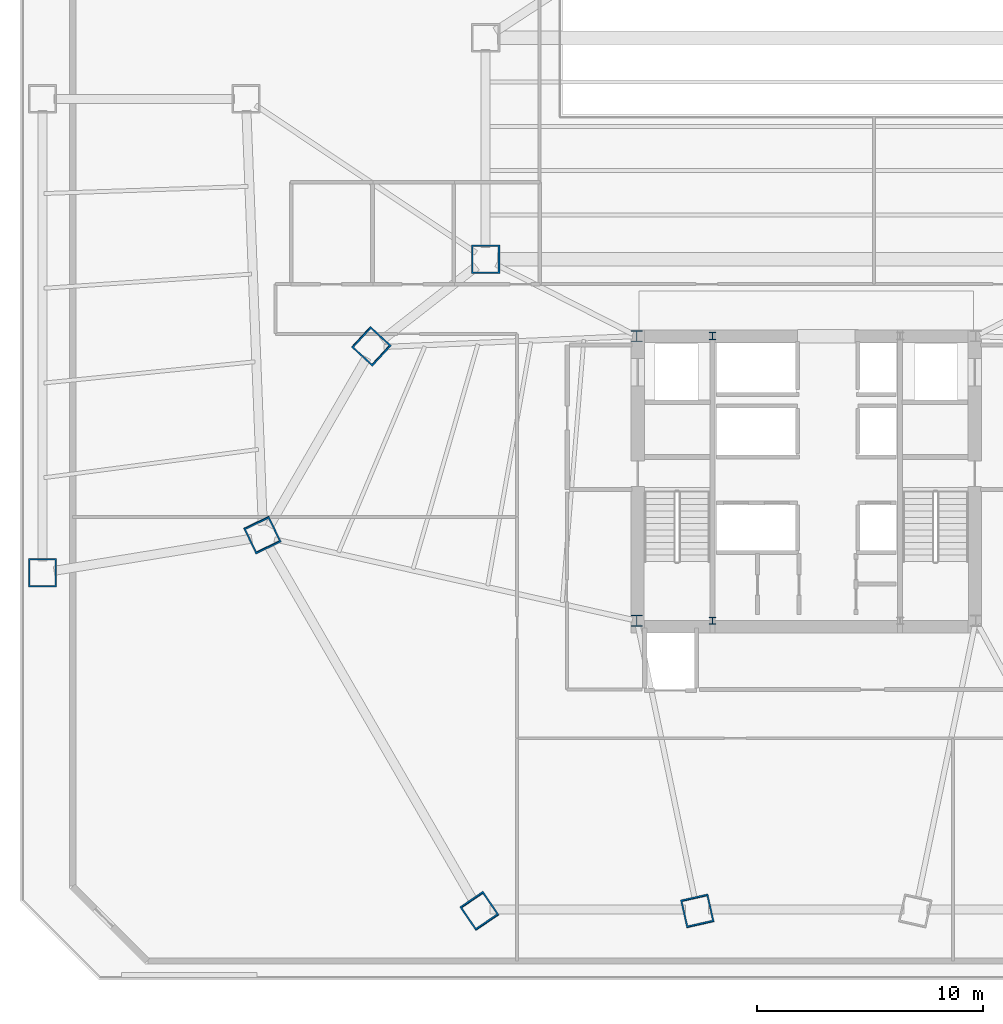
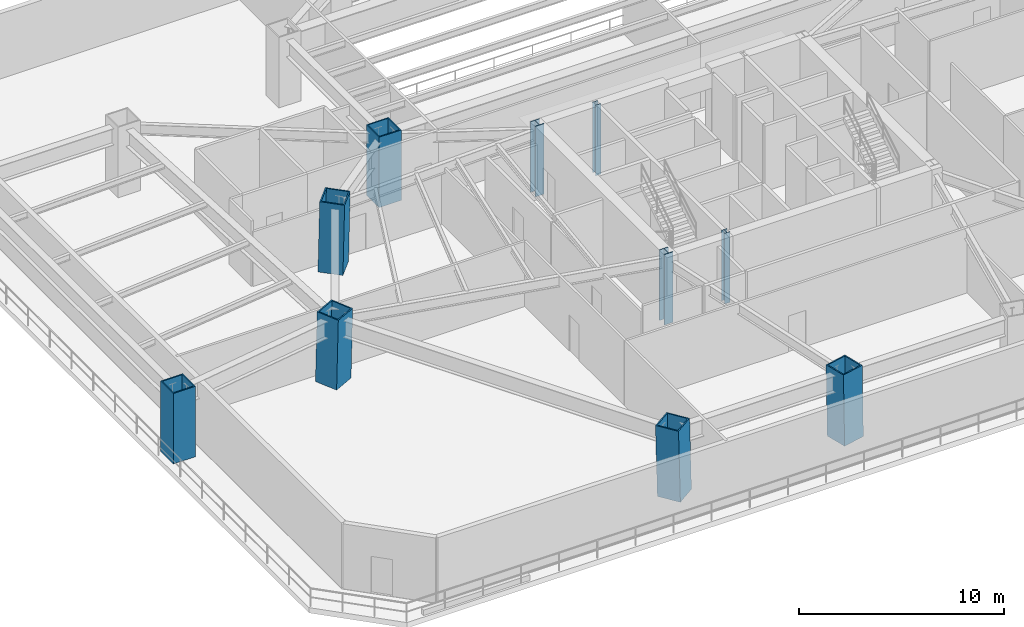
# One storey, part 1 of 12: 10 columns.
"""IFC4 building model written with IfcOpenShell, lengths in metres."""

from ifc_helpers import new_model, si_unit, direction, frame, origin, origin_2d, place, context, subcontext, project, spatial, hollow_rectangle, i_section, extrude, source, transform, mapped, material, material_profile, profile_set, type_object, type_shapes, element, save


model = new_model("IFC4")

# Units and contexts
model_context = context("Model", 3, precision=1e-05, world=origin(), true_north=direction((0.0, 1.0)))
body_context = subcontext(model_context, "Body", "Model", "MODEL_VIEW")
ifc_project = project(units=[si_unit("LENGTHUNIT", "METRE"), si_unit("AREAUNIT", "SQUARE_METRE"), si_unit("VOLUMEUNIT", "CUBIC_METRE"), si_unit("PLANEANGLEUNIT", "RADIAN"), si_unit("MASSUNIT", "GRAM", prefix="KILO")], contexts=[model_context])

# Site, building, storey
site_placement = place(None, origin())
site = spatial("IfcSite", under=ifc_project, at=site_placement, CompositionType="ELEMENT")
building_placement = place(site_placement, origin())
building = spatial("IfcBuilding", under=site, at=building_placement, Name="Caelisora Broadcast Tower", CompositionType="ELEMENT")
storey_placement = place(building_placement, frame((0.0, 0.0, 14.699951171875)))
storey = spatial("IfcBuildingStorey", under=building, at=storey_placement, Name="L03", CompositionType="ELEMENT", Elevation=14.699951171875)

# Columns
ifc_material_1 = material(Name="Steel Grade 350 (AS/NZS 3679.2)", Category="steel")
ifc_material_profile_1 = material_profile(ifc_material_1, i_section(OverallWidth=0.5, OverallDepth=0.5, WebThickness=0.028076171875, FlangeThickness=0.0400390625, at=origin_2d()), Name="Steel Grade 350 (AS/NZS 3679.2)")
ifc_profile_set_1 = profile_set([ifc_material_profile_1], Name="Steel Grade 350 (AS/NZS 3679.2)")
column_type_1 = type_object("IfcColumnType", Name="CC01", PredefinedType="COLUMN", material=ifc_profile_set_1)
shared_shape_1 = source(origin(), body_context, "Body", "SweptSolid", [
    extrude(i_section(OverallWidth=0.5, OverallDepth=0.5, WebThickness=0.028076171875, FlangeThickness=0.0400390625, at=origin_2d()), origin(), (0.0, 0.0, 1.0), 4.199951171875),
])
type_shapes(column_type_1, [shared_shape_1])
for number, where, z_axis, x_axis, name in (
    (1, (30.5, 17.39990234375, 0.0), (0.0, 0.0, 1.0), (1.0, 0.0, 0.0), "L03 column CC01"),
    (2, (30.5, 30.0, 0.0), (0.0, 0.0, 1.0), (1.0, 0.0, 0.0), "L03 column CC01"),
):
    element("IfcColumn", number, at=place(storey_placement, frame(where, z_axis=z_axis, x_axis=x_axis)), inside=storey, type_object=column_type_1, Name=name, PredefinedType="COLUMN", context=body_context, shape_type="MappedRepresentation", body=[
        mapped(shared_shape_1, transform((0.0, 0.0, 0.0), scale=1.0)),
    ])
ifc_material_2 = material(Name="Steel Grade 350 (AS/NZS 3679.1)", Category="steel")
ifc_material_profile_2 = material_profile(ifc_material_2, i_section(OverallWidth=0.306884765625, OverallDepth=0.314697265625, WebThickness=0.011962890625, FlangeThickness=0.018798828125, at=origin_2d()), Name="Steel Grade 350 (AS/NZS 3679.1)")
ifc_profile_set_2 = profile_set([ifc_material_profile_2], Name="Steel Grade 350 (AS/NZS 3679.1)")
column_type_2 = type_object("IfcColumnType", Name="CC04", PredefinedType="COLUMN", material=ifc_profile_set_2)
shared_shape_2 = source(origin(), body_context, "Body", "SweptSolid", [
    extrude(i_section(OverallWidth=0.306884765625, OverallDepth=0.314697265625, WebThickness=0.011962890625, FlangeThickness=0.018798828125, at=origin_2d()), origin(), (0.0, 0.0, 1.0), 4.199951171875),
])
type_shapes(column_type_2, [shared_shape_2])
for number, where, z_axis, x_axis, name in (
    (3, (33.85009765625, 17.39990234375, 0.0), (0.0, 0.0, 1.0), (1.0, 0.0, 0.0), "L03 column CC04"),
    (4, (33.85009765625, 30.0, 0.0), (0.0, 0.0, 1.0), (1.0, 0.0, 0.0), "L03 column CC04"),
):
    element("IfcColumn", number, at=place(storey_placement, frame(where, z_axis=z_axis, x_axis=x_axis)), inside=storey, type_object=column_type_2, Name=name, PredefinedType="COLUMN", context=body_context, shape_type="MappedRepresentation", body=[
        mapped(shared_shape_2, transform((0.0, 0.0, 0.0), scale=1.0)),
    ])
ifc_material_3 = material(Name="Steel Grade 350 L15 (AS/NZS 3678)", Category="steel")
ifc_material_profile_3 = material_profile(ifc_material_3, hollow_rectangle(XDim=1.25, YDim=1.25, WallThickness=0.070068359375, at=origin_2d()), Name="Steel Grade 350 L15 (AS/NZS 3678)")
ifc_profile_set_3 = profile_set([ifc_material_profile_3], Name="Steel Grade 350 L15 (AS/NZS 3678)")
column_type_3 = type_object("IfcColumnType", Name="MC02", PredefinedType="COLUMN", material=ifc_profile_set_3)
shared_shape_3 = source(origin(), body_context, "Body", "SweptSolid", [
    extrude(hollow_rectangle(XDim=1.25, YDim=1.25, WallThickness=0.070068359375, at=origin_2d()), origin(), (0.0, 0.0, 1.0), 4.201171875),
])
for number, where, z_axis, x_axis, name in (
    (5, (13.921630859375, 21.206298828125, 0.0), (0.01040216717, -0.021617911661, 0.999712188989), (0.90110684469, 0.433597110752, 0.0), "L03 column MC02"),
    (6, (23.541259765625, 4.54443359375, 0.0), (-0.01348214574, 0.01981642973, 0.999712729167), (-0.826791188215, -0.562508960897, 0.0), "L03 column MC02"),
):
    element("IfcColumn", number, at=place(storey_placement, frame(where, z_axis=z_axis, x_axis=x_axis)), inside=storey, type_object=column_type_3, Name=name, PredefinedType="COLUMN", context=body_context, shape_type="MappedRepresentation", body=[
        mapped(shared_shape_3, transform((0.0, 0.0, 0.0), scale=1.0)),
    ])
shared_shape_4 = source(origin(), body_context, "Body", "SweptSolid", [
    extrude(hollow_rectangle(XDim=1.25, YDim=1.25, WallThickness=0.070068359375, at=origin_2d()), origin(), (0.0, 0.0, 1.0), 4.200927734375),
])
for number, where, z_axis, x_axis, name in (
    (7, (18.7412109375, 29.553955078125, 0.0), (0.014936170945, -0.013773823012, 0.999793574993), (0.677923610644, 0.735132354159, 0.0), "L03 column MC02"),
    (8, (33.180419921875, 4.54443359375, 0.0), (-0.004475039604, 0.019818032534, 0.999793588501), (-0.975441002068, -0.220260871435, 0.0), "L03 column MC02"),
):
    element("IfcColumn", number, at=place(storey_placement, frame(where, z_axis=z_axis, x_axis=x_axis)), inside=storey, type_object=column_type_3, Name=name, PredefinedType="COLUMN", context=body_context, shape_type="MappedRepresentation", body=[
        mapped(shared_shape_4, transform((0.0, 0.0, 0.0), scale=1.0)),
    ])
shared_shape_5 = source(origin(), body_context, "Body", "SweptSolid", [
    extrude(hollow_rectangle(XDim=1.25, YDim=1.25, WallThickness=0.070068359375, at=origin_2d()), origin(), (0.0, 0.0, 1.0), 4.199951171875),
])
type_shapes(column_type_3, [shared_shape_3, shared_shape_4, shared_shape_5])
for number, where, z_axis, x_axis, name in (
    (9, (23.81103515625, 33.39990234375, 0.0), (0.0, 0.0, 1.0), (1.0, 0.0, 0.0), "L03 column MC02"),
    (10, (4.199951171875, 19.52587890625, 0.0), (0.0, 0.0, 1.0), (1.0, 0.0, 0.0), "L03 column MC02"),
):
    element("IfcColumn", number, at=place(storey_placement, frame(where, z_axis=z_axis, x_axis=x_axis)), inside=storey, type_object=column_type_3, Name=name, PredefinedType="COLUMN", context=body_context, shape_type="MappedRepresentation", body=[
        mapped(shared_shape_5, transform((0.0, 0.0, 0.0), scale=1.0)),
    ])

save(model, "model.ifc")
